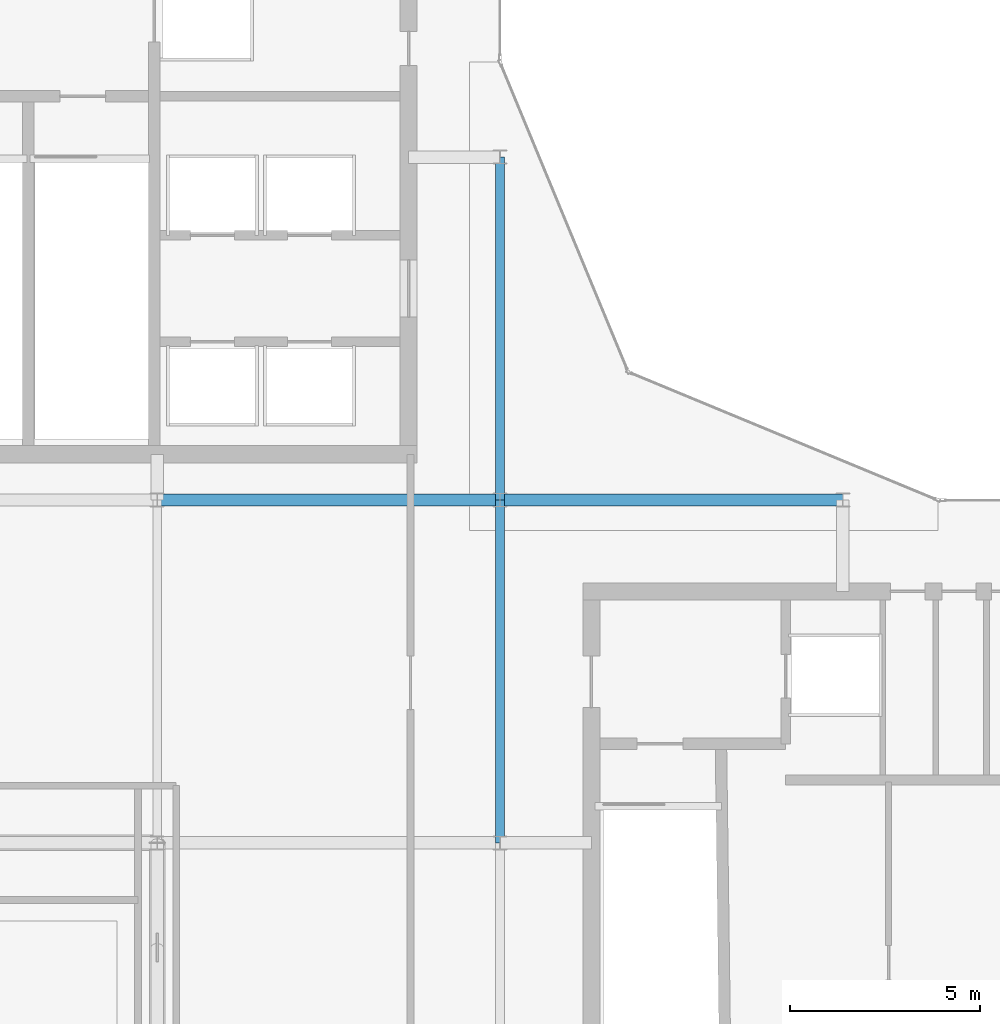
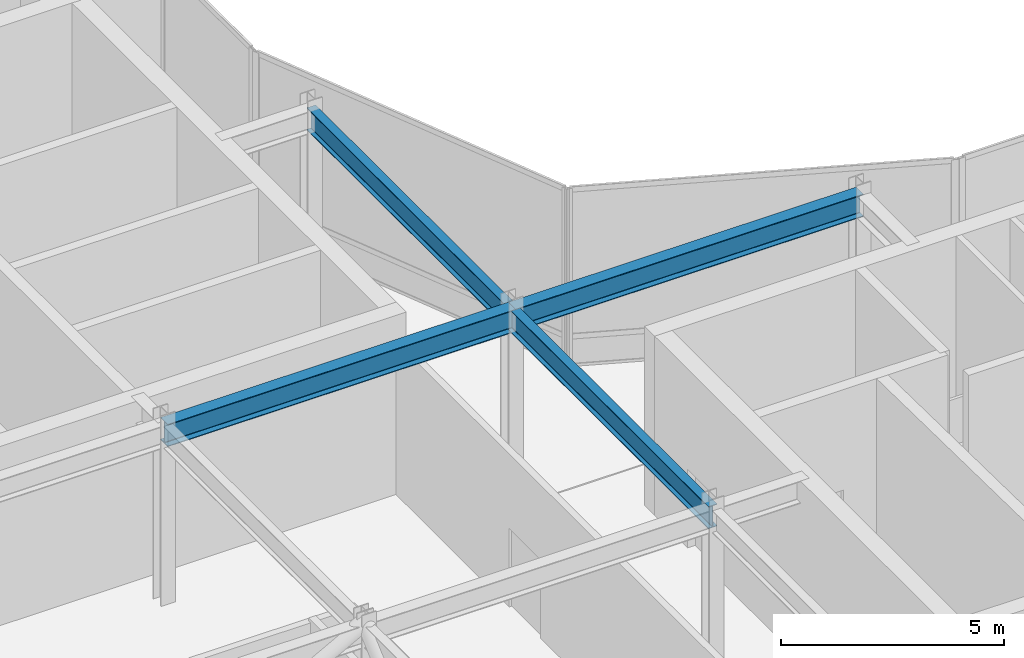
# One storey, part 9 of 19: 4 beams.
"""IFC4 building model written with IfcOpenShell, lengths in metres."""

from ifc_helpers import new_model, si_unit, direction, frame, origin, origin_2d, place, context, subcontext, project, spatial, i_section, extrude, material, material_profile, profile_set, type_object, element, save


model = new_model("IFC4")

# Units and contexts
model_context = context("Model", 3, precision=1e-05, world=origin(), true_north=direction((0.0, 1.0)))
body_context = subcontext(model_context, "Body", "Model", "MODEL_VIEW")
ifc_project = project(units=[si_unit("LENGTHUNIT", "METRE"), si_unit("AREAUNIT", "SQUARE_METRE"), si_unit("VOLUMEUNIT", "CUBIC_METRE"), si_unit("PLANEANGLEUNIT", "RADIAN"), si_unit("MASSUNIT", "GRAM", prefix="KILO")], contexts=[model_context])

# Site, building, storey
site_placement = place(None, origin())
site = spatial("IfcSite", under=ifc_project, at=site_placement, CompositionType="ELEMENT")
building_placement = place(site_placement, origin())
building = spatial("IfcBuilding", under=site, at=building_placement, Name="Solvaryn Broadcast Tower", CompositionType="ELEMENT")
storey_placement = place(building_placement, frame((0.0, 0.0, 302.60009765625)))
storey = spatial("IfcBuildingStorey", under=building, at=storey_placement, Name="L76", CompositionType="ELEMENT", Elevation=302.60009765625)

# Beams
ifc_material_1 = material(Name="Steel ASTM A992 Grade 50", Category="steel")
ifc_material_profile_1 = material_profile(ifc_material_1, i_section(OverallWidth=0.323974609375, OverallDepth=0.611083984375, WebThickness=0.0126953125, FlangeThickness=0.01904296875, FilletRadius=0.014892578125, at=origin_2d()))
ifc_profile_set_1 = profile_set([ifc_material_profile_1], Name="Steel ASTM A992 Grade 50")
beam_type_1 = type_object("IfcBeamType", Name="BM-B1-W24X104", PredefinedType="BEAM", material=ifc_profile_set_1)
for number, where, z_axis, x_axis, name in (
    (1, (18.0, 27.0, 4.594482421875), (1.0, 0.0, 0.0), (0.0, 1.0, 0.0), "L76 Primary Beam X (18-27 @ Y=27)"),
    (2, (27.0, 27.0, 4.594482421875), (1.0, 0.0, 0.0), (0.0, 1.0, 0.0), "L76 Primary Beam X (27-36 @ Y=27)"),
):
    element("IfcBeam", number, at=place(storey_placement, frame(where, z_axis=z_axis, x_axis=x_axis)), inside=storey, type_object=beam_type_1, Name=name, PredefinedType="BEAM", context=body_context, shape_type="SweptSolid", body=[
        extrude(i_section(OverallWidth=0.323974609375, OverallDepth=0.611083984375, WebThickness=0.0126953125, FlangeThickness=0.01904296875, FilletRadius=0.014892578125, at=origin_2d()), origin(), (0.0, 0.0, 1.0), 9.0),
    ])
ifc_material_2 = material(Name="Steel ASTM A992 Grade 50", Category="steel")
ifc_material_profile_2 = material_profile(ifc_material_2, i_section(OverallWidth=0.22802734375, OverallDepth=0.60791015625, WebThickness=0.01123046875, FlangeThickness=0.017333984375, FilletRadius=0.014892578125, at=origin_2d()))
ifc_profile_set_2 = profile_set([ifc_material_profile_2], Name="Steel ASTM A992 Grade 50")
beam_type_2 = type_object("IfcBeamType", Name="BM-B2-W24X76", PredefinedType="BEAM", material=ifc_profile_set_2)
for number, where, z_axis, x_axis, name in (
    (3, (27.0, 18.0, 4.595947265625), (0.0, 1.0, 0.0), (-1.0, 0.0, 0.0), "L76 Primary Beam Y (18-27 @ X=27)"),
    (4, (27.0, 27.0, 4.595947265625), (0.0, 1.0, 0.0), (-1.0, 0.0, 0.0), "L76 Primary Beam Y (27-36 @ X=27)"),
):
    element("IfcBeam", number, at=place(storey_placement, frame(where, z_axis=z_axis, x_axis=x_axis)), inside=storey, type_object=beam_type_2, Name=name, PredefinedType="BEAM", context=body_context, shape_type="SweptSolid", body=[
        extrude(i_section(OverallWidth=0.22802734375, OverallDepth=0.60791015625, WebThickness=0.01123046875, FlangeThickness=0.017333984375, FilletRadius=0.014892578125, at=origin_2d()), origin(), (0.0, 0.0, 1.0), 9.0),
    ])

save(model, "model.ifc")
